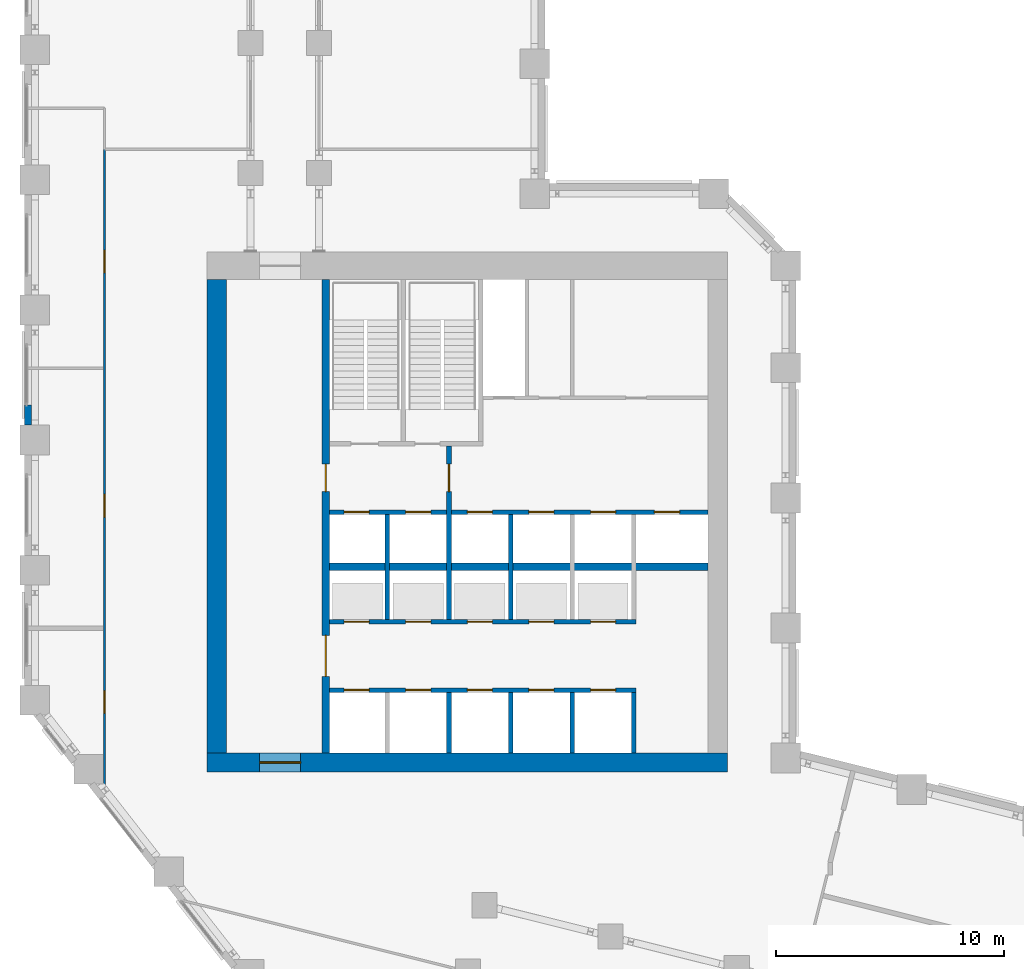
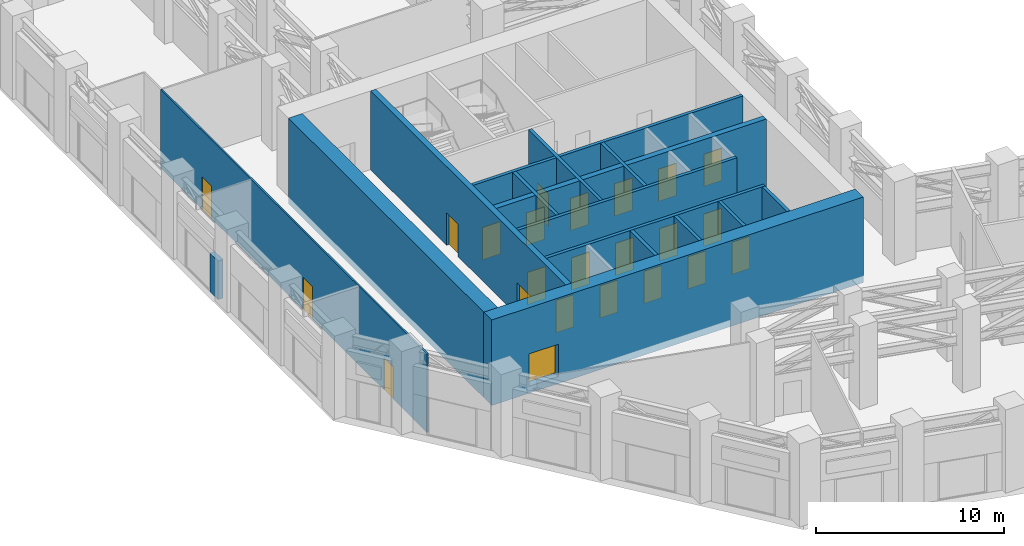
# One storey, part 14 of 21: 23 doors, 16 walls, 23 openings.
"""IFC4 building model written with IfcOpenShell, lengths in metres."""

from ifc_helpers import new_model, si_unit, direction, frame, frame_2d, origin, place, context, subcontext, project, spatial, rectangle, extrude, material, layer, layer_set, type_object, element, fill, save


model = new_model("IFC4")

# Units and contexts
model_context = context("Model", 3, precision=1e-05, world=origin(), true_north=direction((0.0, 1.0)))
body_context = subcontext(model_context, "Body", "Model", "MODEL_VIEW")
ifc_project = project(units=[si_unit("LENGTHUNIT", "METRE"), si_unit("AREAUNIT", "SQUARE_METRE"), si_unit("VOLUMEUNIT", "CUBIC_METRE"), si_unit("PLANEANGLEUNIT", "RADIAN"), si_unit("MASSUNIT", "GRAM", prefix="KILO")], contexts=[model_context])

# Site, building, storey
site_placement = place(None, origin())
site = spatial("IfcSite", under=ifc_project, at=site_placement, CompositionType="ELEMENT")
building_placement = place(site_placement, origin())
building = spatial("IfcBuilding", under=site, at=building_placement, Name="Meshkara Civic Tower", CompositionType="ELEMENT")
storey_placement = place(building_placement, frame((0.0, 0.0, 156.0)))
storey = spatial("IfcBuildingStorey", under=building, at=storey_placement, Name="L35", CompositionType="ELEMENT", Elevation=156.0)

# Wall, opening, door
ifc_material_1 = material(Name="Concrete C70", Category="concrete")
ifc_layer_1 = layer(ifc_material_1, 0.85009765625)
ifc_layer_set_1 = layer_set([ifc_layer_1], Name="Core ring wall 850 C70")
wall_type_1 = type_object("IfcWallType", Name="Core ring wall 850 C70", PredefinedType="SHEAR", material=ifc_layer_set_1)
wall_1_placement = place(storey_placement, frame((8.0, 14.52490234375, -0.449951171875), z_axis=(0.0, 0.0, 1.0), x_axis=(1.0, 0.0, 0.0)))
wall_1 = element("IfcWall", 1, at=wall_1_placement, inside=storey, type_object=wall_type_1, Name="L35-C001", PredefinedType="SHEAR", context=body_context, shape_type="SweptSolid", body=[
    extrude(rectangle(XDim=22.800048828125, YDim=0.85009765625, at=frame_2d((11.39990234375, 0.0))), origin(), (0.0, 0.0, 1.0), 5.550048828125),
])
opening_1_placement = place(wall_1_placement, frame((2.300048828125, 0.0, 0.449951171875)))
opening_1 = element("IfcOpeningElement", 2, at=opening_1_placement, cuts=wall_1, Name="Opening L35-K026", PredefinedType="OPENING", context=body_context, shape_type="SweptSolid", body=[
    extrude(rectangle(XDim=1.800048828125, YDim=2.10009765625, at=frame_2d((0.89990234375, 1.050048828125))), frame((0.0, 0.43505859375, 0.0), z_axis=(0.0, -1.0, 0.0), x_axis=(1.0, 0.0, 0.0)), (0.0, 0.0, 1.0), 0.8701171875),
])
ifc_material_2 = material(Name="Fire-rated door leaf in steel frame", Category="steel")
door_type_1 = type_object("IfcDoorType", Name="Core double door 1800 EI 60", OperationType="DOUBLE_DOOR_SINGLE_SWING", PredefinedType="DOOR", material=ifc_material_2)
door_1_placement = place(opening_1_placement, origin())
door_1 = element("IfcDoor", 3, at=door_1_placement, inside=storey, type_object=door_type_1, Name="L35-K026", OperationType="DOUBLE_DOOR_SINGLE_SWING", OverallHeight=2.10009765625, OverallWidth=1.800048828125, PredefinedType="DOOR", context=body_context, shape_type="SweptSolid", body=[
    extrude(rectangle(XDim=1.800048828125, YDim=2.10009765625, at=frame_2d((0.89990234375, 1.050048828125))), frame((0.0, 0.02490234375, 0.0), z_axis=(0.0, -1.0, 0.0), x_axis=(1.0, 0.0, 0.0)), (0.0, 0.0, 1.0), 0.050048828125),
])
fill(opening_1, door_1)

# Walls
wall_2_placement = place(storey_placement, frame((8.425048828125, 14.949951171875, -0.449951171875), z_axis=(0.0, 0.0, 1.0), x_axis=(0.0, 1.0, 0.0)))
element("IfcWall", 4, at=wall_2_placement, inside=storey, type_object=wall_type_1, Name="L35-C003", PredefinedType="SHEAR", context=body_context, shape_type="SweptSolid", body=[
    extrude(rectangle(XDim=20.75, YDim=0.85009765625, at=frame_2d((10.375, 0.0))), origin(), (0.0, 0.0, 1.0), 5.550048828125),
])
ifc_material_3 = material(Name="Concrete C70", Category="concrete")
ifc_layer_2 = layer(ifc_material_3, 0.340087890625)
ifc_layer_set_2 = layer_set([ifc_layer_2], Name="Core shear wall 340 C70")
wall_type_2 = type_object("IfcWallType", Name="Core shear wall 340 C70", PredefinedType="SHEAR", material=ifc_layer_set_2)
wall_3_placement = place(storey_placement, frame((13.3701171875, 23.10009765625, 0.0), z_axis=(0.0, 0.0, 1.0), x_axis=(1.0, 0.0, 0.0)))
element("IfcWall", 5, at=wall_3_placement, inside=storey, type_object=wall_type_2, Name="L35-C007", PredefinedType="SHEAR", context=body_context, shape_type="SweptSolid", body=[
    extrude(rectangle(XDim=16.579833984375, YDim=0.340087890625, at=frame_2d((8.2900390625, 0.0))), origin(), (0.0, 0.0, 1.0), 5.10009765625),
])

# Wall, openings, doors
wall_4_placement = place(storey_placement, frame((13.199951171875, 14.949951171875, 0.0), z_axis=(0.0, 0.0, 1.0), x_axis=(0.0, 1.0, 0.0)))
wall_4 = element("IfcWall", 6, at=wall_4_placement, inside=storey, type_object=wall_type_2, Name="L35-C011", PredefinedType="SHEAR", context=body_context, shape_type="SweptSolid", body=[
    extrude(rectangle(XDim=20.75, YDim=0.340087890625, at=frame_2d((10.375, 0.0))), origin(), (0.0, 0.0, 1.0), 5.10009765625),
])
opening_2_placement = place(wall_4_placement, frame((3.35009765625, 0.0, 0.0)))
opening_2 = element("IfcOpeningElement", 7, at=opening_2_placement, cuts=wall_4, Name="Opening L35-K022", PredefinedType="OPENING", context=body_context, shape_type="SweptSolid", body=[
    extrude(rectangle(XDim=1.800048828125, YDim=2.10009765625, at=frame_2d((0.89990234375, 1.050048828125))), frame((0.0, 0.179931640625, 0.0), z_axis=(0.0, -1.0, 0.0), x_axis=(1.0, 0.0, 0.0)), (0.0, 0.0, 1.0), 0.360107421875),
])
opening_3_placement = place(wall_4_placement, frame((11.449951171875, 0.0, 0.0)))
opening_3 = element("IfcOpeningElement", 8, at=opening_3_placement, cuts=wall_4, Name="Opening L35-K023", PredefinedType="OPENING", context=body_context, shape_type="SweptSolid", body=[
    extrude(rectangle(XDim=1.199951171875, YDim=2.10009765625, at=frame_2d((0.60009765625, 1.050048828125))), frame((0.0, 0.179931640625, 0.0), z_axis=(0.0, -1.0, 0.0), x_axis=(1.0, 0.0, 0.0)), (0.0, 0.0, 1.0), 0.360107421875),
])
door_2_placement = place(opening_2_placement, origin())
door_2 = element("IfcDoor", 9, at=door_2_placement, inside=storey, type_object=door_type_1, Name="L35-K022", OperationType="DOUBLE_DOOR_SINGLE_SWING", OverallHeight=2.10009765625, OverallWidth=1.800048828125, PredefinedType="DOOR", context=body_context, shape_type="SweptSolid", body=[
    extrude(rectangle(XDim=1.800048828125, YDim=2.10009765625, at=frame_2d((0.89990234375, 1.050048828125))), frame((0.0, 0.02490234375, 0.0), z_axis=(0.0, -1.0, 0.0), x_axis=(1.0, 0.0, 0.0)), (0.0, 0.0, 1.0), 0.050048828125),
])
fill(opening_2, door_2)
ifc_material_4 = material(Name="Fire-rated door leaf in steel frame", Category="steel")
door_type_2 = type_object("IfcDoorType", Name="Fire-fighting lobby door 1200 EI 120", OperationType="SINGLE_SWING_LEFT", PredefinedType="DOOR", material=ifc_material_4)
door_3_placement = place(opening_3_placement, origin())
door_3 = element("IfcDoor", 10, at=door_3_placement, inside=storey, type_object=door_type_2, Name="L35-K023", OperationType="SINGLE_SWING_LEFT", OverallHeight=2.10009765625, OverallWidth=1.199951171875, PredefinedType="DOOR", context=body_context, shape_type="SweptSolid", body=[
    extrude(rectangle(XDim=1.199951171875, YDim=2.10009765625, at=frame_2d((0.60009765625, 1.050048828125))), frame((0.0, 0.02490234375, 0.0), z_axis=(0.0, -1.0, 0.0), x_axis=(1.0, 0.0, 0.0)), (0.0, 0.0, 1.0), 0.050048828125),
])
fill(opening_3, door_3)

ifc_material_5 = material(Name="Corridor wall 100")
ifc_layer_3 = layer(ifc_material_5, 0.10009765625)
ifc_layer_set_3 = layer_set([ifc_layer_3], Name="Corridor wall 100")
wall_type_3 = type_object("IfcWallType", Name="Corridor wall 100", PredefinedType="PARTITIONING", material=ifc_layer_set_3)
wall_5_placement = place(storey_placement, frame((3.5, 13.087890625, 0.0), z_axis=(0.0, 0.0, 1.0), x_axis=(0.0, 1.0, 0.0)))
wall_5 = element("IfcWall", 11, at=wall_5_placement, inside=storey, type_object=wall_type_3, Name="L35-R002", PredefinedType="PARTITIONING", context=body_context, shape_type="SweptSolid", body=[
    extrude(rectangle(XDim=28.31201171875, YDim=0.10009765625, at=frame_2d((14.156005859375, 0.0))), origin(), (0.0, 0.0, 1.0), 5.10009765625),
])
opening_4_placement = place(wall_5_placement, frame((3.590087890625, 0.0, 0.0)))
opening_4 = element("IfcOpeningElement", 12, at=opening_4_placement, cuts=wall_5, Name="Opening L35-P010", PredefinedType="OPENING", context=body_context, shape_type="SweptSolid", body=[
    extrude(rectangle(XDim=1.0, YDim=2.10009765625, at=frame_2d((0.5, 1.050048828125))), frame((0.0, 0.06005859375, 0.0), z_axis=(0.0, -1.0, 0.0), x_axis=(1.0, 0.0, 0.0)), (0.0, 0.0, 1.0), 0.1201171875),
])
opening_5_placement = place(wall_5_placement, frame((12.19189453125, 0.0, 0.0)))
opening_5 = element("IfcOpeningElement", 13, at=opening_5_placement, cuts=wall_5, Name="Opening L35-P011", PredefinedType="OPENING", context=body_context, shape_type="SweptSolid", body=[
    extrude(rectangle(XDim=1.0, YDim=2.10009765625, at=frame_2d((0.5, 1.050048828125))), frame((0.0, 0.06005859375, 0.0), z_axis=(0.0, -1.0, 0.0), x_axis=(1.0, 0.0, 0.0)), (0.0, 0.0, 1.0), 0.1201171875),
])
opening_6_placement = place(wall_5_placement, frame((22.89208984375, 0.0, 0.0)))
opening_6 = element("IfcOpeningElement", 14, at=opening_6_placement, cuts=wall_5, Name="Opening L35-P012", PredefinedType="OPENING", context=body_context, shape_type="SweptSolid", body=[
    extrude(rectangle(XDim=1.0, YDim=2.10009765625, at=frame_2d((0.5, 1.050048828125))), frame((0.0, 0.06005859375, 0.0), z_axis=(0.0, -1.0, 0.0), x_axis=(1.0, 0.0, 0.0)), (0.0, 0.0, 1.0), 0.1201171875),
])
ifc_material_6 = material(Name="Door 1000 x 2100")
door_type_3 = type_object("IfcDoorType", Name="Door 1000 x 2100", OperationType="SINGLE_SWING_LEFT", PredefinedType="DOOR", material=ifc_material_6)
door_4_placement = place(opening_4_placement, origin())
door_4 = element("IfcDoor", 15, at=door_4_placement, inside=storey, type_object=door_type_3, Name="L35-P010", OperationType="SINGLE_SWING_RIGHT", OverallHeight=2.10009765625, OverallWidth=1.0, PredefinedType="DOOR", context=body_context, shape_type="SweptSolid", body=[
    extrude(rectangle(XDim=1.0, YDim=2.10009765625, at=frame_2d((0.5, 1.050048828125))), frame((0.0, 0.02490234375, 0.0), z_axis=(0.0, -1.0, 0.0), x_axis=(1.0, 0.0, 0.0)), (0.0, 0.0, 1.0), 0.050048828125),
])
fill(opening_4, door_4)
door_5_placement = place(opening_5_placement, origin())
door_5 = element("IfcDoor", 16, at=door_5_placement, inside=storey, type_object=door_type_3, Name="L35-P011", OperationType="SINGLE_SWING_RIGHT", OverallHeight=2.10009765625, OverallWidth=1.0, PredefinedType="DOOR", context=body_context, shape_type="SweptSolid", body=[
    extrude(rectangle(XDim=1.0, YDim=2.10009765625, at=frame_2d((0.5, 1.050048828125))), frame((0.0, 0.02490234375, 0.0), z_axis=(0.0, -1.0, 0.0), x_axis=(1.0, 0.0, 0.0)), (0.0, 0.0, 1.0), 0.050048828125),
])
fill(opening_5, door_5)
door_6_placement = place(opening_6_placement, origin())
door_6 = element("IfcDoor", 17, at=door_6_placement, inside=storey, type_object=door_type_3, Name="L35-P012", OperationType="SINGLE_SWING_LEFT", OverallHeight=2.10009765625, OverallWidth=1.0, PredefinedType="DOOR", context=body_context, shape_type="SweptSolid", body=[
    extrude(rectangle(XDim=1.0, YDim=2.10009765625, at=frame_2d((0.5, 1.050048828125))), frame((0.0, 0.02490234375, 0.0), z_axis=(0.0, -1.0, 0.0), x_axis=(1.0, 0.0, 0.0)), (0.0, 0.0, 1.0), 0.050048828125),
])
fill(opening_6, door_6)

# Wall
ifc_material_7 = material(Name="Concrete C50", Category="concrete")
ifc_layer_4 = layer(ifc_material_7, 0.300048828125)
ifc_layer_set_4 = layer_set([ifc_layer_4], Name="SKY LOBBY PIER 300")
wall_type_4 = type_object("IfcWallType", Name="SKY LOBBY PIER 300", PredefinedType="SOLIDWALL", material=ifc_layer_set_4)
wall_6_placement = place(storey_placement, frame((0.14990234375, 30.18603515625, 0.0), z_axis=(0.0, 0.0, 1.0), x_axis=(0.0, -1.0, 0.0)))
element("IfcWall", 18, at=wall_6_placement, inside=storey, type_object=wall_type_4, Name="Sky lobby pier", PredefinedType="SOLIDWALL", context=body_context, shape_type="SweptSolid", body=[
    extrude(rectangle(XDim=0.880126953125, YDim=0.300048828125, at=frame_2d((0.43994140625, 0.0))), origin(), (0.0, 0.0, 1.0), 2.5),
])

# Wall, openings, doors
ifc_material_8 = material(Name="Concrete C40/50", Category="concrete")
ifc_layer_5 = layer(ifc_material_8, 0.199951171875)
ifc_layer_set_5 = layer_set([ifc_layer_5], Name="Shaft wall 200 C40/50")
wall_type_5 = type_object("IfcWallType", Name="Shaft wall 200 C40/50", PredefinedType="SOLIDWALL", material=ifc_layer_set_5)
wall_7_placement = place(storey_placement, frame((13.3701171875, 17.699951171875, 0.0), z_axis=(0.0, 0.0, 1.0), x_axis=(1.0, 0.0, 0.0)))
wall_7 = element("IfcWall", 19, at=wall_7_placement, inside=storey, type_object=wall_type_5, Name="L35-C005", PredefinedType="SOLIDWALL", context=body_context, shape_type="SweptSolid", body=[
    extrude(rectangle(XDim=13.429931640625, YDim=0.199951171875, at=frame_2d((6.71484375, 0.0))), origin(), (0.0, 0.0, 1.0), 5.10009765625),
])
opening_7_placement = place(wall_7_placement, frame((0.6298828125, 0.0, 0.0)))
opening_7 = element("IfcOpeningElement", 20, at=opening_7_placement, cuts=wall_7, Name="Opening L35-K001", PredefinedType="OPENING", context=body_context, shape_type="SweptSolid", body=[
    extrude(rectangle(XDim=1.10009765625, YDim=2.10009765625, at=frame_2d((0.550048828125, 1.050048828125))), frame((0.0, 0.10986328125, 0.0), z_axis=(0.0, -1.0, 0.0), x_axis=(1.0, 0.0, 0.0)), (0.0, 0.0, 1.0), 0.219970703125),
])
opening_8_placement = place(wall_7_placement, frame((3.330078125, 0.0, 0.0)))
opening_8 = element("IfcOpeningElement", 21, at=opening_8_placement, cuts=wall_7, Name="Opening L35-K002", PredefinedType="OPENING", context=body_context, shape_type="SweptSolid", body=[
    extrude(rectangle(XDim=1.10009765625, YDim=2.10009765625, at=frame_2d((0.550048828125, 1.050048828125))), frame((0.0, 0.10986328125, 0.0), z_axis=(0.0, -1.0, 0.0), x_axis=(1.0, 0.0, 0.0)), (0.0, 0.0, 1.0), 0.219970703125),
])
opening_9_placement = place(wall_7_placement, frame((6.030029296875, 0.0, 0.0)))
opening_9 = element("IfcOpeningElement", 22, at=opening_9_placement, cuts=wall_7, Name="Opening L35-K003", PredefinedType="OPENING", context=body_context, shape_type="SweptSolid", body=[
    extrude(rectangle(XDim=1.10009765625, YDim=2.10009765625, at=frame_2d((0.550048828125, 1.050048828125))), frame((0.0, 0.10986328125, 0.0), z_axis=(0.0, -1.0, 0.0), x_axis=(1.0, 0.0, 0.0)), (0.0, 0.0, 1.0), 0.219970703125),
])
opening_10_placement = place(wall_7_placement, frame((8.72998046875, 0.0, 0.0)))
opening_10 = element("IfcOpeningElement", 23, at=opening_10_placement, cuts=wall_7, Name="Opening L35-K004", PredefinedType="OPENING", context=body_context, shape_type="SweptSolid", body=[
    extrude(rectangle(XDim=1.10009765625, YDim=2.10009765625, at=frame_2d((0.550048828125, 1.050048828125))), frame((0.0, 0.10986328125, 0.0), z_axis=(0.0, -1.0, 0.0), x_axis=(1.0, 0.0, 0.0)), (0.0, 0.0, 1.0), 0.219970703125),
])
opening_11_placement = place(wall_7_placement, frame((11.429931640625, 0.0, 0.0)))
opening_11 = element("IfcOpeningElement", 24, at=opening_11_placement, cuts=wall_7, Name="Opening L35-K005", PredefinedType="OPENING", context=body_context, shape_type="SweptSolid", body=[
    extrude(rectangle(XDim=1.10009765625, YDim=2.10009765625, at=frame_2d((0.550048828125, 1.050048828125))), frame((0.0, 0.10986328125, 0.0), z_axis=(0.0, -1.0, 0.0), x_axis=(1.0, 0.0, 0.0)), (0.0, 0.0, 1.0), 0.219970703125),
])
ifc_material_9 = material(Name="Stainless steel landing door", Category="steel")
door_type_4 = type_object("IfcDoorType", Name="Lift landing door 1100", OperationType="SLIDING_TO_LEFT", PredefinedType="DOOR", material=ifc_material_9)
door_7_placement = place(opening_7_placement, origin())
door_7 = element("IfcDoor", 25, at=door_7_placement, inside=storey, type_object=door_type_4, Name="L35-K001", OperationType="SLIDING_TO_LEFT", OverallHeight=2.10009765625, OverallWidth=1.10009765625, PredefinedType="DOOR", context=body_context, shape_type="SweptSolid", body=[
    extrude(rectangle(XDim=1.10009765625, YDim=2.10009765625, at=frame_2d((0.550048828125, 1.050048828125))), frame((0.0, 0.02490234375, 0.0), z_axis=(0.0, -1.0, 0.0), x_axis=(1.0, 0.0, 0.0)), (0.0, 0.0, 1.0), 0.050048828125),
])
fill(opening_7, door_7)
door_8_placement = place(opening_8_placement, origin())
door_8 = element("IfcDoor", 26, at=door_8_placement, inside=storey, type_object=door_type_4, Name="L35-K002", OperationType="SLIDING_TO_LEFT", OverallHeight=2.10009765625, OverallWidth=1.10009765625, PredefinedType="DOOR", context=body_context, shape_type="SweptSolid", body=[
    extrude(rectangle(XDim=1.10009765625, YDim=2.10009765625, at=frame_2d((0.550048828125, 1.050048828125))), frame((0.0, 0.02490234375, 0.0), z_axis=(0.0, -1.0, 0.0), x_axis=(1.0, 0.0, 0.0)), (0.0, 0.0, 1.0), 0.050048828125),
])
fill(opening_8, door_8)
door_9_placement = place(opening_9_placement, origin())
door_9 = element("IfcDoor", 27, at=door_9_placement, inside=storey, type_object=door_type_4, Name="L35-K003", OperationType="SLIDING_TO_LEFT", OverallHeight=2.10009765625, OverallWidth=1.10009765625, PredefinedType="DOOR", context=body_context, shape_type="SweptSolid", body=[
    extrude(rectangle(XDim=1.10009765625, YDim=2.10009765625, at=frame_2d((0.550048828125, 1.050048828125))), frame((0.0, 0.02490234375, 0.0), z_axis=(0.0, -1.0, 0.0), x_axis=(1.0, 0.0, 0.0)), (0.0, 0.0, 1.0), 0.050048828125),
])
fill(opening_9, door_9)
door_10_placement = place(opening_10_placement, origin())
door_10 = element("IfcDoor", 28, at=door_10_placement, inside=storey, type_object=door_type_4, Name="L35-K004", OperationType="SLIDING_TO_LEFT", OverallHeight=2.10009765625, OverallWidth=1.10009765625, PredefinedType="DOOR", context=body_context, shape_type="SweptSolid", body=[
    extrude(rectangle(XDim=1.10009765625, YDim=2.10009765625, at=frame_2d((0.550048828125, 1.050048828125))), frame((0.0, 0.02490234375, 0.0), z_axis=(0.0, -1.0, 0.0), x_axis=(1.0, 0.0, 0.0)), (0.0, 0.0, 1.0), 0.050048828125),
])
fill(opening_10, door_10)
door_11_placement = place(opening_11_placement, origin())
door_11 = element("IfcDoor", 29, at=door_11_placement, inside=storey, type_object=door_type_4, Name="L35-K005", OperationType="SLIDING_TO_LEFT", OverallHeight=2.10009765625, OverallWidth=1.10009765625, PredefinedType="DOOR", context=body_context, shape_type="SweptSolid", body=[
    extrude(rectangle(XDim=1.10009765625, YDim=2.10009765625, at=frame_2d((0.550048828125, 1.050048828125))), frame((0.0, 0.02490234375, 0.0), z_axis=(0.0, -1.0, 0.0), x_axis=(1.0, 0.0, 0.0)), (0.0, 0.0, 1.0), 0.050048828125),
])
fill(opening_11, door_11)

wall_8_placement = place(storey_placement, frame((13.3701171875, 20.699951171875, 0.0), z_axis=(0.0, 0.0, 1.0), x_axis=(1.0, 0.0, 0.0)))
wall_8 = element("IfcWall", 30, at=wall_8_placement, inside=storey, type_object=wall_type_5, Name="L35-C006", PredefinedType="SOLIDWALL", context=body_context, shape_type="SweptSolid", body=[
    extrude(rectangle(XDim=13.429931640625, YDim=0.199951171875, at=frame_2d((6.71484375, 0.0))), origin(), (0.0, 0.0, 1.0), 5.10009765625),
])
opening_12_placement = place(wall_8_placement, frame((0.6298828125, 0.0, 0.0)))
opening_12 = element("IfcOpeningElement", 31, at=opening_12_placement, cuts=wall_8, Name="Opening L35-K006", PredefinedType="OPENING", context=body_context, shape_type="SweptSolid", body=[
    extrude(rectangle(XDim=1.10009765625, YDim=2.10009765625, at=frame_2d((0.550048828125, 1.050048828125))), frame((0.0, 0.10986328125, 0.0), z_axis=(0.0, -1.0, 0.0), x_axis=(1.0, 0.0, 0.0)), (0.0, 0.0, 1.0), 0.219970703125),
])
opening_13_placement = place(wall_8_placement, frame((3.330078125, 0.0, 0.0)))
opening_13 = element("IfcOpeningElement", 32, at=opening_13_placement, cuts=wall_8, Name="Opening L35-K007", PredefinedType="OPENING", context=body_context, shape_type="SweptSolid", body=[
    extrude(rectangle(XDim=1.10009765625, YDim=2.10009765625, at=frame_2d((0.550048828125, 1.050048828125))), frame((0.0, 0.10986328125, 0.0), z_axis=(0.0, -1.0, 0.0), x_axis=(1.0, 0.0, 0.0)), (0.0, 0.0, 1.0), 0.219970703125),
])
opening_14_placement = place(wall_8_placement, frame((6.030029296875, 0.0, 0.0)))
opening_14 = element("IfcOpeningElement", 33, at=opening_14_placement, cuts=wall_8, Name="Opening L35-K008", PredefinedType="OPENING", context=body_context, shape_type="SweptSolid", body=[
    extrude(rectangle(XDim=1.10009765625, YDim=2.10009765625, at=frame_2d((0.550048828125, 1.050048828125))), frame((0.0, 0.10986328125, 0.0), z_axis=(0.0, -1.0, 0.0), x_axis=(1.0, 0.0, 0.0)), (0.0, 0.0, 1.0), 0.219970703125),
])
opening_15_placement = place(wall_8_placement, frame((8.72998046875, 0.0, 0.0)))
opening_15 = element("IfcOpeningElement", 34, at=opening_15_placement, cuts=wall_8, Name="Opening L35-K009", PredefinedType="OPENING", context=body_context, shape_type="SweptSolid", body=[
    extrude(rectangle(XDim=1.10009765625, YDim=2.10009765625, at=frame_2d((0.550048828125, 1.050048828125))), frame((0.0, 0.10986328125, 0.0), z_axis=(0.0, -1.0, 0.0), x_axis=(1.0, 0.0, 0.0)), (0.0, 0.0, 1.0), 0.219970703125),
])
opening_16_placement = place(wall_8_placement, frame((11.429931640625, 0.0, 0.0)))
opening_16 = element("IfcOpeningElement", 35, at=opening_16_placement, cuts=wall_8, Name="Opening L35-K010", PredefinedType="OPENING", context=body_context, shape_type="SweptSolid", body=[
    extrude(rectangle(XDim=1.10009765625, YDim=2.10009765625, at=frame_2d((0.550048828125, 1.050048828125))), frame((0.0, 0.10986328125, 0.0), z_axis=(0.0, -1.0, 0.0), x_axis=(1.0, 0.0, 0.0)), (0.0, 0.0, 1.0), 0.219970703125),
])
door_12_placement = place(opening_12_placement, origin())
door_12 = element("IfcDoor", 36, at=door_12_placement, inside=storey, type_object=door_type_4, Name="L35-K006", OperationType="SLIDING_TO_LEFT", OverallHeight=2.10009765625, OverallWidth=1.10009765625, PredefinedType="DOOR", context=body_context, shape_type="SweptSolid", body=[
    extrude(rectangle(XDim=1.10009765625, YDim=2.10009765625, at=frame_2d((0.550048828125, 1.050048828125))), frame((0.0, 0.02490234375, 0.0), z_axis=(0.0, -1.0, 0.0), x_axis=(1.0, 0.0, 0.0)), (0.0, 0.0, 1.0), 0.050048828125),
])
fill(opening_12, door_12)
door_13_placement = place(opening_13_placement, origin())
door_13 = element("IfcDoor", 37, at=door_13_placement, inside=storey, type_object=door_type_4, Name="L35-K007", OperationType="SLIDING_TO_LEFT", OverallHeight=2.10009765625, OverallWidth=1.10009765625, PredefinedType="DOOR", context=body_context, shape_type="SweptSolid", body=[
    extrude(rectangle(XDim=1.10009765625, YDim=2.10009765625, at=frame_2d((0.550048828125, 1.050048828125))), frame((0.0, 0.02490234375, 0.0), z_axis=(0.0, -1.0, 0.0), x_axis=(1.0, 0.0, 0.0)), (0.0, 0.0, 1.0), 0.050048828125),
])
fill(opening_13, door_13)
door_14_placement = place(opening_14_placement, origin())
door_14 = element("IfcDoor", 38, at=door_14_placement, inside=storey, type_object=door_type_4, Name="L35-K008", OperationType="SLIDING_TO_LEFT", OverallHeight=2.10009765625, OverallWidth=1.10009765625, PredefinedType="DOOR", context=body_context, shape_type="SweptSolid", body=[
    extrude(rectangle(XDim=1.10009765625, YDim=2.10009765625, at=frame_2d((0.550048828125, 1.050048828125))), frame((0.0, 0.02490234375, 0.0), z_axis=(0.0, -1.0, 0.0), x_axis=(1.0, 0.0, 0.0)), (0.0, 0.0, 1.0), 0.050048828125),
])
fill(opening_14, door_14)
door_15_placement = place(opening_15_placement, origin())
door_15 = element("IfcDoor", 39, at=door_15_placement, inside=storey, type_object=door_type_4, Name="L35-K009", OperationType="SLIDING_TO_LEFT", OverallHeight=2.10009765625, OverallWidth=1.10009765625, PredefinedType="DOOR", context=body_context, shape_type="SweptSolid", body=[
    extrude(rectangle(XDim=1.10009765625, YDim=2.10009765625, at=frame_2d((0.550048828125, 1.050048828125))), frame((0.0, 0.02490234375, 0.0), z_axis=(0.0, -1.0, 0.0), x_axis=(1.0, 0.0, 0.0)), (0.0, 0.0, 1.0), 0.050048828125),
])
fill(opening_15, door_15)
door_16_placement = place(opening_16_placement, origin())
door_16 = element("IfcDoor", 40, at=door_16_placement, inside=storey, type_object=door_type_4, Name="L35-K010", OperationType="SLIDING_TO_LEFT", OverallHeight=2.10009765625, OverallWidth=1.10009765625, PredefinedType="DOOR", context=body_context, shape_type="SweptSolid", body=[
    extrude(rectangle(XDim=1.10009765625, YDim=2.10009765625, at=frame_2d((0.550048828125, 1.050048828125))), frame((0.0, 0.02490234375, 0.0), z_axis=(0.0, -1.0, 0.0), x_axis=(1.0, 0.0, 0.0)), (0.0, 0.0, 1.0), 0.050048828125),
])
fill(opening_16, door_16)

wall_9_placement = place(storey_placement, frame((13.3701171875, 25.5, 0.0), z_axis=(0.0, 0.0, 1.0), x_axis=(1.0, 0.0, 0.0)))
wall_9 = element("IfcWall", 41, at=wall_9_placement, inside=storey, type_object=wall_type_5, Name="L35-C008", PredefinedType="SOLIDWALL", context=body_context, shape_type="SweptSolid", body=[
    extrude(rectangle(XDim=16.579833984375, YDim=0.199951171875, at=frame_2d((8.2900390625, 0.0))), origin(), (0.0, 0.0, 1.0), 5.10009765625),
])
opening_17_placement = place(wall_9_placement, frame((0.6298828125, 0.0, 0.0)))
opening_17 = element("IfcOpeningElement", 42, at=opening_17_placement, cuts=wall_9, Name="Opening L35-K011", PredefinedType="OPENING", context=body_context, shape_type="SweptSolid", body=[
    extrude(rectangle(XDim=1.10009765625, YDim=2.10009765625, at=frame_2d((0.550048828125, 1.050048828125))), frame((0.0, 0.10986328125, 0.0), z_axis=(0.0, -1.0, 0.0), x_axis=(1.0, 0.0, 0.0)), (0.0, 0.0, 1.0), 0.219970703125),
])
opening_18_placement = place(wall_9_placement, frame((3.330078125, 0.0, 0.0)))
opening_18 = element("IfcOpeningElement", 43, at=opening_18_placement, cuts=wall_9, Name="Opening L35-K012", PredefinedType="OPENING", context=body_context, shape_type="SweptSolid", body=[
    extrude(rectangle(XDim=1.10009765625, YDim=2.10009765625, at=frame_2d((0.550048828125, 1.050048828125))), frame((0.0, 0.10986328125, 0.0), z_axis=(0.0, -1.0, 0.0), x_axis=(1.0, 0.0, 0.0)), (0.0, 0.0, 1.0), 0.219970703125),
])
opening_19_placement = place(wall_9_placement, frame((6.030029296875, 0.0, 0.0)))
opening_19 = element("IfcOpeningElement", 44, at=opening_19_placement, cuts=wall_9, Name="Opening L35-K013", PredefinedType="OPENING", context=body_context, shape_type="SweptSolid", body=[
    extrude(rectangle(XDim=1.10009765625, YDim=2.10009765625, at=frame_2d((0.550048828125, 1.050048828125))), frame((0.0, 0.10986328125, 0.0), z_axis=(0.0, -1.0, 0.0), x_axis=(1.0, 0.0, 0.0)), (0.0, 0.0, 1.0), 0.219970703125),
])
opening_20_placement = place(wall_9_placement, frame((8.72998046875, 0.0, 0.0)))
opening_20 = element("IfcOpeningElement", 45, at=opening_20_placement, cuts=wall_9, Name="Opening L35-K014", PredefinedType="OPENING", context=body_context, shape_type="SweptSolid", body=[
    extrude(rectangle(XDim=1.10009765625, YDim=2.10009765625, at=frame_2d((0.550048828125, 1.050048828125))), frame((0.0, 0.10986328125, 0.0), z_axis=(0.0, -1.0, 0.0), x_axis=(1.0, 0.0, 0.0)), (0.0, 0.0, 1.0), 0.219970703125),
])
opening_21_placement = place(wall_9_placement, frame((11.429931640625, 0.0, 0.0)))
opening_21 = element("IfcOpeningElement", 46, at=opening_21_placement, cuts=wall_9, Name="Opening L35-K015", PredefinedType="OPENING", context=body_context, shape_type="SweptSolid", body=[
    extrude(rectangle(XDim=1.10009765625, YDim=2.10009765625, at=frame_2d((0.550048828125, 1.050048828125))), frame((0.0, 0.10986328125, 0.0), z_axis=(0.0, -1.0, 0.0), x_axis=(1.0, 0.0, 0.0)), (0.0, 0.0, 1.0), 0.219970703125),
])
opening_22_placement = place(wall_9_placement, frame((14.22998046875, 0.0, 0.0)))
opening_22 = element("IfcOpeningElement", 47, at=opening_22_placement, cuts=wall_9, Name="Opening L35-K016", PredefinedType="OPENING", context=body_context, shape_type="SweptSolid", body=[
    extrude(rectangle(XDim=1.10009765625, YDim=2.10009765625, at=frame_2d((0.550048828125, 1.050048828125))), frame((0.0, 0.10986328125, 0.0), z_axis=(0.0, -1.0, 0.0), x_axis=(1.0, 0.0, 0.0)), (0.0, 0.0, 1.0), 0.219970703125),
])
door_17_placement = place(opening_17_placement, origin())
door_17 = element("IfcDoor", 48, at=door_17_placement, inside=storey, type_object=door_type_4, Name="L35-K011", OperationType="SLIDING_TO_LEFT", OverallHeight=2.10009765625, OverallWidth=1.10009765625, PredefinedType="DOOR", context=body_context, shape_type="SweptSolid", body=[
    extrude(rectangle(XDim=1.10009765625, YDim=2.10009765625, at=frame_2d((0.550048828125, 1.050048828125))), frame((0.0, 0.02490234375, 0.0), z_axis=(0.0, -1.0, 0.0), x_axis=(1.0, 0.0, 0.0)), (0.0, 0.0, 1.0), 0.050048828125),
])
fill(opening_17, door_17)
door_18_placement = place(opening_18_placement, origin())
door_18 = element("IfcDoor", 49, at=door_18_placement, inside=storey, type_object=door_type_4, Name="L35-K012", OperationType="SLIDING_TO_LEFT", OverallHeight=2.10009765625, OverallWidth=1.10009765625, PredefinedType="DOOR", context=body_context, shape_type="SweptSolid", body=[
    extrude(rectangle(XDim=1.10009765625, YDim=2.10009765625, at=frame_2d((0.550048828125, 1.050048828125))), frame((0.0, 0.02490234375, 0.0), z_axis=(0.0, -1.0, 0.0), x_axis=(1.0, 0.0, 0.0)), (0.0, 0.0, 1.0), 0.050048828125),
])
fill(opening_18, door_18)
door_19_placement = place(opening_19_placement, origin())
door_19 = element("IfcDoor", 50, at=door_19_placement, inside=storey, type_object=door_type_4, Name="L35-K013", OperationType="SLIDING_TO_LEFT", OverallHeight=2.10009765625, OverallWidth=1.10009765625, PredefinedType="DOOR", context=body_context, shape_type="SweptSolid", body=[
    extrude(rectangle(XDim=1.10009765625, YDim=2.10009765625, at=frame_2d((0.550048828125, 1.050048828125))), frame((0.0, 0.02490234375, 0.0), z_axis=(0.0, -1.0, 0.0), x_axis=(1.0, 0.0, 0.0)), (0.0, 0.0, 1.0), 0.050048828125),
])
fill(opening_19, door_19)
door_20_placement = place(opening_20_placement, origin())
door_20 = element("IfcDoor", 51, at=door_20_placement, inside=storey, type_object=door_type_4, Name="L35-K014", OperationType="SLIDING_TO_LEFT", OverallHeight=2.10009765625, OverallWidth=1.10009765625, PredefinedType="DOOR", context=body_context, shape_type="SweptSolid", body=[
    extrude(rectangle(XDim=1.10009765625, YDim=2.10009765625, at=frame_2d((0.550048828125, 1.050048828125))), frame((0.0, 0.02490234375, 0.0), z_axis=(0.0, -1.0, 0.0), x_axis=(1.0, 0.0, 0.0)), (0.0, 0.0, 1.0), 0.050048828125),
])
fill(opening_20, door_20)
door_21_placement = place(opening_21_placement, origin())
door_21 = element("IfcDoor", 52, at=door_21_placement, inside=storey, type_object=door_type_4, Name="L35-K015", OperationType="SLIDING_TO_LEFT", OverallHeight=2.10009765625, OverallWidth=1.10009765625, PredefinedType="DOOR", context=body_context, shape_type="SweptSolid", body=[
    extrude(rectangle(XDim=1.10009765625, YDim=2.10009765625, at=frame_2d((0.550048828125, 1.050048828125))), frame((0.0, 0.02490234375, 0.0), z_axis=(0.0, -1.0, 0.0), x_axis=(1.0, 0.0, 0.0)), (0.0, 0.0, 1.0), 0.050048828125),
])
fill(opening_21, door_21)
door_22_placement = place(opening_22_placement, origin())
door_22 = element("IfcDoor", 53, at=door_22_placement, inside=storey, type_object=door_type_4, Name="L35-K016", OperationType="SLIDING_TO_LEFT", OverallHeight=2.10009765625, OverallWidth=1.10009765625, PredefinedType="DOOR", context=body_context, shape_type="SweptSolid", body=[
    extrude(rectangle(XDim=1.10009765625, YDim=2.10009765625, at=frame_2d((0.550048828125, 1.050048828125))), frame((0.0, 0.02490234375, 0.0), z_axis=(0.0, -1.0, 0.0), x_axis=(1.0, 0.0, 0.0)), (0.0, 0.0, 1.0), 0.050048828125),
])
fill(opening_22, door_22)

# Walls
wall_10_placement = place(storey_placement, frame((15.89990234375, 20.800048828125, 0.0), z_axis=(0.0, 0.0, 1.0), x_axis=(0.0, 1.0, 0.0)))
element("IfcWall", 54, at=wall_10_placement, inside=storey, type_object=wall_type_5, Name="L35-C013", PredefinedType="SOLIDWALL", context=body_context, shape_type="SweptSolid", body=[
    extrude(rectangle(XDim=4.599853515625, YDim=0.199951171875, at=frame_2d((2.2998046875, 0.0))), origin(), (0.0, 0.0, 1.0), 5.10009765625),
])
wall_11_placement = place(storey_placement, frame((18.60009765625, 14.949951171875, 0.0), z_axis=(0.0, 0.0, 1.0), x_axis=(0.0, 1.0, 0.0)))
element("IfcWall", 55, at=wall_11_placement, inside=storey, type_object=wall_type_5, Name="L35-C015", PredefinedType="SOLIDWALL", context=body_context, shape_type="SweptSolid", body=[
    extrude(rectangle(XDim=2.650146484375, YDim=0.199951171875, at=frame_2d((1.3251953125, 0.0))), origin(), (0.0, 0.0, 1.0), 5.10009765625),
])

# Wall, opening, door
wall_12_placement = place(storey_placement, frame((18.60009765625, 20.800048828125, 0.0), z_axis=(0.0, 0.0, 1.0), x_axis=(0.0, 1.0, 0.0)))
wall_12 = element("IfcWall", 56, at=wall_12_placement, inside=storey, type_object=wall_type_5, Name="L35-C016", PredefinedType="SOLIDWALL", context=body_context, shape_type="SweptSolid", body=[
    extrude(rectangle(XDim=7.599853515625, YDim=0.199951171875, at=frame_2d((3.7998046875, 0.0))), origin(), (0.0, 0.0, 1.0), 5.10009765625),
])
opening_23_placement = place(wall_12_placement, frame((5.60009765625, 0.0, 0.0)))
opening_23 = element("IfcOpeningElement", 57, at=opening_23_placement, cuts=wall_12, Name="Opening L35-K024", PredefinedType="OPENING", context=body_context, shape_type="SweptSolid", body=[
    extrude(rectangle(XDim=1.199951171875, YDim=2.10009765625, at=frame_2d((0.60009765625, 1.050048828125))), frame((0.0, 0.10986328125, 0.0), z_axis=(0.0, -1.0, 0.0), x_axis=(1.0, 0.0, 0.0)), (0.0, 0.0, 1.0), 0.219970703125),
])
door_23_placement = place(opening_23_placement, origin())
door_23 = element("IfcDoor", 58, at=door_23_placement, inside=storey, type_object=door_type_2, Name="L35-K024", OperationType="SINGLE_SWING_RIGHT", OverallHeight=2.10009765625, OverallWidth=1.199951171875, PredefinedType="DOOR", context=body_context, shape_type="SweptSolid", body=[
    extrude(rectangle(XDim=1.199951171875, YDim=2.10009765625, at=frame_2d((0.60009765625, 1.050048828125))), frame((0.0, 0.02490234375, 0.0), z_axis=(0.0, -1.0, 0.0), x_axis=(1.0, 0.0, 0.0)), (0.0, 0.0, 1.0), 0.050048828125),
])
fill(opening_23, door_23)

# Walls
wall_13_placement = place(storey_placement, frame((21.300048828125, 14.949951171875, 0.0), z_axis=(0.0, 0.0, 1.0), x_axis=(0.0, 1.0, 0.0)))
element("IfcWall", 59, at=wall_13_placement, inside=storey, type_object=wall_type_5, Name="L35-C018", PredefinedType="SOLIDWALL", context=body_context, shape_type="SweptSolid", body=[
    extrude(rectangle(XDim=2.650146484375, YDim=0.199951171875, at=frame_2d((1.3251953125, 0.0))), origin(), (0.0, 0.0, 1.0), 5.10009765625),
])
wall_14_placement = place(storey_placement, frame((21.300048828125, 20.800048828125, 0.0), z_axis=(0.0, 0.0, 1.0), x_axis=(0.0, 1.0, 0.0)))
element("IfcWall", 60, at=wall_14_placement, inside=storey, type_object=wall_type_5, Name="L35-C019", PredefinedType="SOLIDWALL", context=body_context, shape_type="SweptSolid", body=[
    extrude(rectangle(XDim=4.599853515625, YDim=0.199951171875, at=frame_2d((2.2998046875, 0.0))), origin(), (0.0, 0.0, 1.0), 5.10009765625),
])
for number, where, z_axis, x_axis, name in (
    (61, (24.0, 14.949951171875, 0.0), (0.0, 0.0, 1.0), (0.0, 1.0, 0.0), "L35-C021"),
    (62, (26.699951171875, 14.949951171875, 0.0), (0.0, 0.0, 1.0), (0.0, 1.0, 0.0), "L35-C024"),
):
    element("IfcWall", number, at=place(storey_placement, frame(where, z_axis=z_axis, x_axis=x_axis)), inside=storey, type_object=wall_type_5, Name=name, PredefinedType="SOLIDWALL", context=body_context, shape_type="SweptSolid", body=[
        extrude(rectangle(XDim=2.650146484375, YDim=0.199951171875, at=frame_2d((1.3251953125, 0.0))), origin(), (0.0, 0.0, 1.0), 5.10009765625),
    ])

save(model, "model.ifc")
